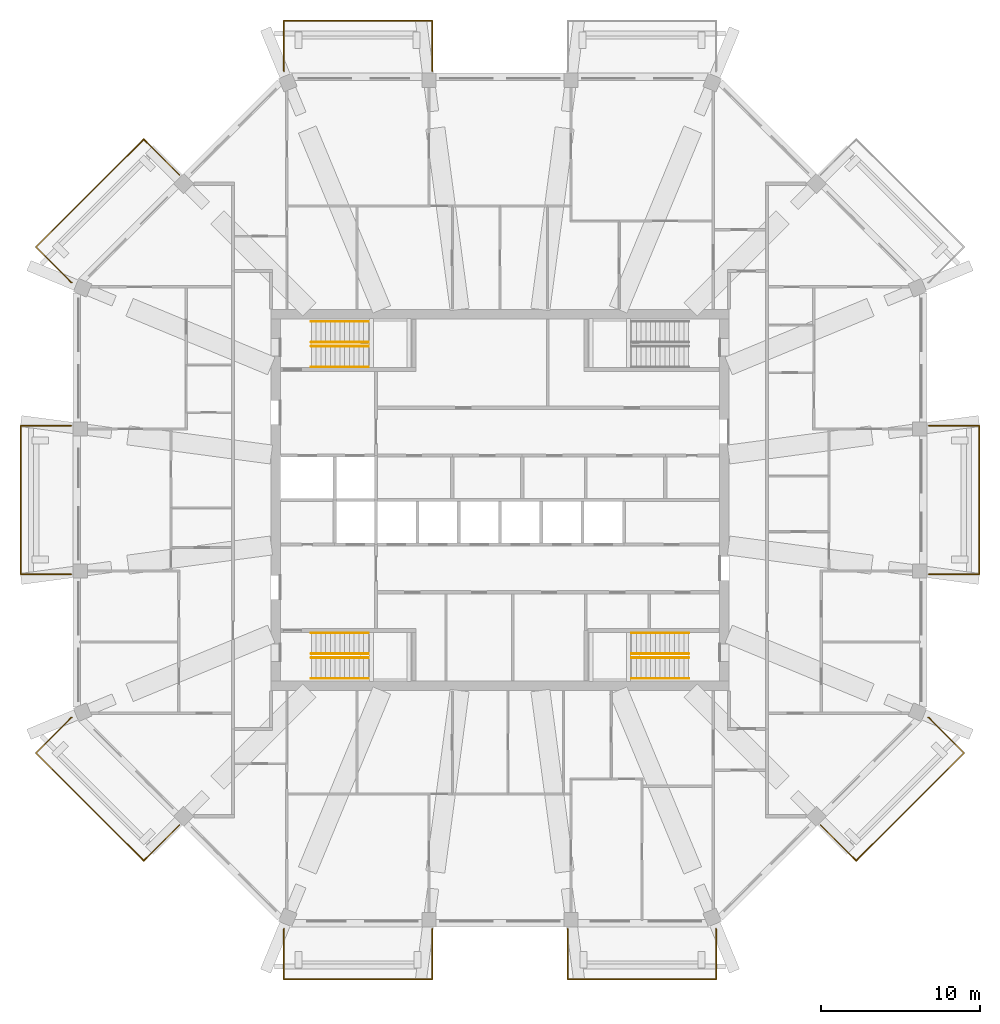
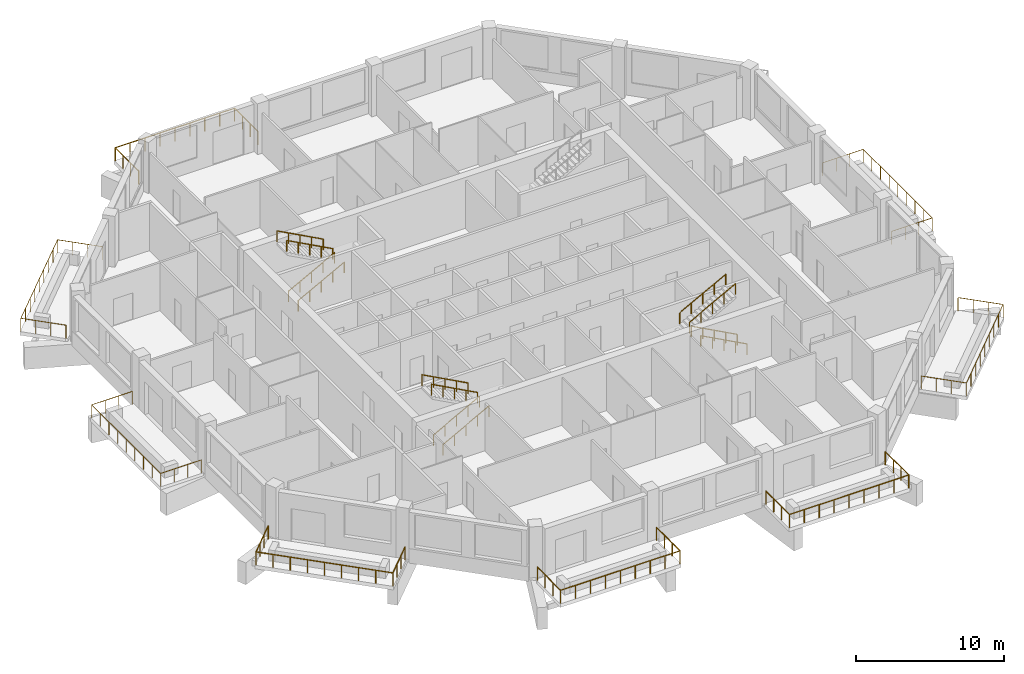
# One storey, part 11 of 12: 20 railings.
"""IFC4 building model written with IfcOpenShell, lengths in metres."""

from ifc_helpers import new_model, si_unit, direction, frame, origin, origin_2d, place, context, subcontext, project, spatial, circle, extrude, material, constituent, constituent_set, type_object, element, save


model = new_model("IFC4")

# Units and contexts
model_context = context("Model", 3, precision=1e-05, world=origin(), true_north=direction((0.0, 1.0)))
body_context = subcontext(model_context, "Body", "Model", "MODEL_VIEW")
ifc_project = project(units=[si_unit("LENGTHUNIT", "METRE"), si_unit("AREAUNIT", "SQUARE_METRE"), si_unit("VOLUMEUNIT", "CUBIC_METRE"), si_unit("PLANEANGLEUNIT", "RADIAN"), si_unit("MASSUNIT", "GRAM", prefix="KILO")], contexts=[model_context])

# Site, building, storey
site_placement = place(None, origin())
site = spatial("IfcSite", under=ifc_project, at=site_placement, CompositionType="ELEMENT")
building_placement = place(site_placement, origin())
building = spatial("IfcBuilding", under=site, at=building_placement, Name="Msitu Wima Residences", CompositionType="ELEMENT")
storey_placement = place(building_placement, frame((0.0, 0.0, 213.89990234375)))
storey = spatial("IfcBuildingStorey", under=building, at=storey_placement, Name="L49", CompositionType="ELEMENT", Elevation=213.89990234375)

# Railings
ifc_material_1 = material(Name="Steel S355", Category="steel")
ifc_constituent_1 = constituent(ifc_material_1, Name="Steel S355")
ifc_material_2 = material(Name="Weathering patina")
ifc_constituent_2 = constituent(ifc_material_2, Name="Weathering patina")
ifc_constituent_set_1 = constituent_set(constituents=[ifc_constituent_1, ifc_constituent_2], Name="Steel S355")
railing_type_1 = type_object("IfcRailingType", Name="Balcony guard GR1100", PredefinedType="GUARDRAIL", material=ifc_constituent_set_1)
railing_1_placement = place(storey_placement, frame((26.97998046875, 4.668701171875, 0.0)))
element("IfcRailing", 1, at=railing_1_placement, inside=storey, type_object=railing_type_1, Name="Balcony guard E1 L49", PredefinedType="GUARDRAIL", context=body_context, shape_type="SweptSolid", body=[
    extrude(circle(Radius=0.02392578125, at=origin_2d()), frame((0.0, 0.0, 1.076171875), z_axis=(1.0, 0.0, 0.0), x_axis=(0.0, 1.0, 0.0)), (0.0, 0.0, 1.0), 3.169921875),
    extrude(circle(Radius=0.02392578125, at=origin_2d()), frame((3.169921875, 0.0, 1.076171875), z_axis=(0.0, -1.0, 0.0), x_axis=(1.0, 0.0, 0.0)), (0.0, 0.0, 1.0), 9.33740234375),
    extrude(circle(Radius=0.02392578125, at=origin_2d()), frame((3.169921875, -9.33740234375, 1.076171875), z_axis=(-1.0, 0.0, 0.0), x_axis=(0.0, -1.0, 0.0)), (0.0, 0.0, 1.0), 3.169921875),
    extrude(circle(Radius=0.02099609375, at=origin_2d()), origin(), (0.0, 0.0, 1.0), 1.052001953125),
    extrude(circle(Radius=0.02099609375, at=origin_2d()), frame((1.056640625, 0.0, 0.0)), (0.0, 0.0, 1.0), 1.052001953125),
    extrude(circle(Radius=0.02099609375, at=origin_2d()), frame((2.11328125, 0.0, 0.0)), (0.0, 0.0, 1.0), 1.052001953125),
    extrude(circle(Radius=0.02099609375, at=origin_2d()), frame((3.169921875, 0.0, 0.0)), (0.0, 0.0, 1.0), 1.052001953125),
    extrude(circle(Radius=0.02099609375, at=origin_2d()), frame((3.169921875, -1.167236328125, 0.0)), (0.0, 0.0, 1.0), 1.052001953125),
    extrude(circle(Radius=0.02099609375, at=origin_2d()), frame((3.169921875, -2.33447265625, 0.0)), (0.0, 0.0, 1.0), 1.052001953125),
    extrude(circle(Radius=0.02099609375, at=origin_2d()), frame((3.169921875, -3.50146484375, 0.0)), (0.0, 0.0, 1.0), 1.052001953125),
    extrude(circle(Radius=0.02099609375, at=origin_2d()), frame((3.169921875, -4.668701171875, 0.0)), (0.0, 0.0, 1.0), 1.052001953125),
    extrude(circle(Radius=0.02099609375, at=origin_2d()), frame((3.169921875, -5.8359375, 0.0)), (0.0, 0.0, 1.0), 1.052001953125),
    extrude(circle(Radius=0.02099609375, at=origin_2d()), frame((3.169921875, -7.0029296875, 0.0)), (0.0, 0.0, 1.0), 1.052001953125),
    extrude(circle(Radius=0.02099609375, at=origin_2d()), frame((3.169921875, -8.170166015625, 0.0)), (0.0, 0.0, 1.0), 1.052001953125),
    extrude(circle(Radius=0.02099609375, at=origin_2d()), frame((3.169921875, -9.33740234375, 0.0)), (0.0, 0.0, 1.0), 1.052001953125),
    extrude(circle(Radius=0.02099609375, at=origin_2d()), frame((2.11328125, -9.33740234375, 0.0)), (0.0, 0.0, 1.0), 1.052001953125),
    extrude(circle(Radius=0.02099609375, at=origin_2d()), frame((1.056640625, -9.33740234375, 0.0)), (0.0, 0.0, 1.0), 1.052001953125),
    extrude(circle(Radius=0.02099609375, at=origin_2d()), frame((0.0, -9.33740234375, 0.0)), (0.0, 0.0, 1.0), 1.052001953125),
])
railing_2_placement = place(storey_placement, frame((-13.592041015625, 26.97998046875, 0.0)))
element("IfcRailing", 2, at=railing_2_placement, inside=storey, type_object=railing_type_1, Name="Balcony guard N2 L49", PredefinedType="GUARDRAIL", context=body_context, shape_type="SweptSolid", body=[
    extrude(circle(Radius=0.02392578125, at=origin_2d()), frame((0.0, 0.0, 1.076171875), z_axis=(-0.384136806859, 0.923276184907, 0.0), x_axis=(-0.923276184907, -0.384136806859, 0.0)), (0.0, 0.0, 1.0), 0.0361328125),
    extrude(circle(Radius=0.02392578125, at=origin_2d()), frame((-0.013916015625, 0.033447265625, 1.076171875), z_axis=(0.0, 1.0, 0.0), x_axis=(-1.0, 0.0, 0.0)), (0.0, 0.0, 1.0), 3.136474609375),
    extrude(circle(Radius=0.02392578125, at=origin_2d()), frame((-0.013916015625, 3.169921875, 1.076171875), z_axis=(1.0, 0.0, 0.0), x_axis=(0.0, 1.0, 0.0)), (0.0, 0.0, 1.0), 9.33740234375),
    extrude(circle(Radius=0.02392578125, at=origin_2d()), frame((9.323486328125, 3.169921875, 1.076171875), z_axis=(0.0, -1.0, 0.0), x_axis=(1.0, 0.0, 0.0)), (0.0, 0.0, 1.0), 3.169921875),
    extrude(circle(Radius=0.02099609375, at=origin_2d()), origin(), (0.0, 0.0, 1.0), 1.052001953125),
    extrude(circle(Radius=0.02099609375, at=origin_2d()), frame((-0.013916015625, 0.033447265625, 0.0)), (0.0, 0.0, 1.0), 1.052001953125),
    extrude(circle(Radius=0.02099609375, at=origin_2d()), frame((-0.013916015625, 1.078857421875, 0.0)), (0.0, 0.0, 1.0), 1.052001953125),
    extrude(circle(Radius=0.02099609375, at=origin_2d()), frame((-0.013916015625, 2.12451171875, 0.0)), (0.0, 0.0, 1.0), 1.052001953125),
    extrude(circle(Radius=0.02099609375, at=origin_2d()), frame((-0.013916015625, 3.169921875, 0.0)), (0.0, 0.0, 1.0), 1.052001953125),
    extrude(circle(Radius=0.02099609375, at=origin_2d()), frame((1.1533203125, 3.169921875, 0.0)), (0.0, 0.0, 1.0), 1.052001953125),
    extrude(circle(Radius=0.02099609375, at=origin_2d()), frame((2.3203125, 3.169921875, 0.0)), (0.0, 0.0, 1.0), 1.052001953125),
    extrude(circle(Radius=0.02099609375, at=origin_2d()), frame((3.487548828125, 3.169921875, 0.0)), (0.0, 0.0, 1.0), 1.052001953125),
    extrude(circle(Radius=0.02099609375, at=origin_2d()), frame((4.65478515625, 3.169921875, 0.0)), (0.0, 0.0, 1.0), 1.052001953125),
    extrude(circle(Radius=0.02099609375, at=origin_2d()), frame((5.822021484375, 3.169921875, 0.0)), (0.0, 0.0, 1.0), 1.052001953125),
    extrude(circle(Radius=0.02099609375, at=origin_2d()), frame((6.9892578125, 3.169921875, 0.0)), (0.0, 0.0, 1.0), 1.052001953125),
    extrude(circle(Radius=0.02099609375, at=origin_2d()), frame((8.15625, 3.169921875, 0.0)), (0.0, 0.0, 1.0), 1.052001953125),
    extrude(circle(Radius=0.02099609375, at=origin_2d()), frame((9.323486328125, 3.169921875, 0.0)), (0.0, 0.0, 1.0), 1.052001953125),
    extrude(circle(Radius=0.02099609375, at=origin_2d()), frame((9.323486328125, 2.11328125, 0.0)), (0.0, 0.0, 1.0), 1.052001953125),
    extrude(circle(Radius=0.02099609375, at=origin_2d()), frame((9.323486328125, 1.056640625, 0.0)), (0.0, 0.0, 1.0), 1.052001953125),
    extrude(circle(Radius=0.02099609375, at=origin_2d()), frame((9.323486328125, 0.0, 0.0)), (0.0, 0.0, 1.0), 1.052001953125),
])
railing_3_placement = place(storey_placement, frame((-26.941650390625, 13.684326171875, 0.0)))
element("IfcRailing", 3, at=railing_3_placement, inside=storey, type_object=railing_type_1, Name="Balcony guard NW1 L49", PredefinedType="GUARDRAIL", context=body_context, shape_type="SweptSolid", body=[
    extrude(circle(Radius=0.02392578125, at=origin_2d()), frame((0.0, 0.0, 1.076171875), z_axis=(-0.92426142649, 0.38176015442, 0.0), x_axis=(-0.38176015442, -0.92426142649, 0.0)), (0.0, 0.0, 1.0), 0.036376953125),
    extrude(circle(Radius=0.02392578125, at=origin_2d()), frame((-0.03369140625, 0.013916015625, 1.076171875), z_axis=(-0.707106781187, 0.707106781187, 0.0), x_axis=(-0.707106781187, -0.707106781187, 0.0)), (0.0, 0.0, 1.0), 3.136474609375),
    extrude(circle(Radius=0.02392578125, at=origin_2d()), frame((-2.25146484375, 2.231689453125, 1.076171875), z_axis=(0.707106781187, 0.707106781187, 0.0), x_axis=(-0.707106781187, 0.707106781187, 0.0)), (0.0, 0.0, 1.0), 9.58837890625),
    extrude(circle(Radius=0.02392578125, at=origin_2d()), frame((4.528564453125, 9.01171875, 1.076171875), z_axis=(0.707106781187, -0.707106781187, 0.0), x_axis=(0.707106781187, 0.707106781187, 0.0)), (0.0, 0.0, 1.0), 3.169921875),
    extrude(circle(Radius=0.02099609375, at=origin_2d()), origin(), (0.0, 0.0, 1.0), 1.052001953125),
    extrude(circle(Radius=0.02099609375, at=origin_2d()), frame((-0.03369140625, 0.013916015625, 0.0)), (0.0, 0.0, 1.0), 1.052001953125),
    extrude(circle(Radius=0.02099609375, at=origin_2d()), frame((-0.77294921875, 0.753173828125, 0.0)), (0.0, 0.0, 1.0), 1.052001953125),
    extrude(circle(Radius=0.02099609375, at=origin_2d()), frame((-1.51220703125, 1.492431640625, 0.0)), (0.0, 0.0, 1.0), 1.052001953125),
    extrude(circle(Radius=0.02099609375, at=origin_2d()), frame((-2.25146484375, 2.231689453125, 0.0)), (0.0, 0.0, 1.0), 1.052001953125),
    extrude(circle(Radius=0.02099609375, at=origin_2d()), frame((-1.404052734375, 3.0791015625, 0.0)), (0.0, 0.0, 1.0), 1.052001953125),
    extrude(circle(Radius=0.02099609375, at=origin_2d()), frame((-0.556396484375, 3.9267578125, 0.0)), (0.0, 0.0, 1.0), 1.052001953125),
    extrude(circle(Radius=0.02099609375, at=origin_2d()), frame((0.291015625, 4.774169921875, 0.0)), (0.0, 0.0, 1.0), 1.052001953125),
    extrude(circle(Radius=0.02099609375, at=origin_2d()), frame((1.138671875, 5.62158203125, 0.0)), (0.0, 0.0, 1.0), 1.052001953125),
    extrude(circle(Radius=0.02099609375, at=origin_2d()), frame((1.986083984375, 6.46923828125, 0.0)), (0.0, 0.0, 1.0), 1.052001953125),
    extrude(circle(Radius=0.02099609375, at=origin_2d()), frame((2.83349609375, 7.316650390625, 0.0)), (0.0, 0.0, 1.0), 1.052001953125),
    extrude(circle(Radius=0.02099609375, at=origin_2d()), frame((3.68115234375, 8.164306640625, 0.0)), (0.0, 0.0, 1.0), 1.052001953125),
    extrude(circle(Radius=0.02099609375, at=origin_2d()), frame((4.528564453125, 9.01171875, 0.0)), (0.0, 0.0, 1.0), 1.052001953125),
    extrude(circle(Radius=0.02099609375, at=origin_2d()), frame((5.275634765625, 8.2646484375, 0.0)), (0.0, 0.0, 1.0), 1.052001953125),
    extrude(circle(Radius=0.02099609375, at=origin_2d()), frame((6.02294921875, 7.517333984375, 0.0)), (0.0, 0.0, 1.0), 1.052001953125),
    extrude(circle(Radius=0.02099609375, at=origin_2d()), frame((6.77001953125, 6.770263671875, 0.0)), (0.0, 0.0, 1.0), 1.052001953125),
])
railing_4_placement = place(storey_placement, frame((-26.97998046875, -4.668701171875, 0.0)))
element("IfcRailing", 4, at=railing_4_placement, inside=storey, type_object=railing_type_1, Name="Balcony guard W1 L49", PredefinedType="GUARDRAIL", context=body_context, shape_type="SweptSolid", body=[
    extrude(circle(Radius=0.02392578125, at=origin_2d()), frame((0.0, 0.0, 1.076171875), z_axis=(-1.0, 0.0, 0.0), x_axis=(0.0, -1.0, 0.0)), (0.0, 0.0, 1.0), 3.169921875),
    extrude(circle(Radius=0.02392578125, at=origin_2d()), frame((-3.169921875, 0.0, 1.076171875), z_axis=(0.0, 1.0, 0.0), x_axis=(-1.0, 0.0, 0.0)), (0.0, 0.0, 1.0), 9.33740234375),
    extrude(circle(Radius=0.02392578125, at=origin_2d()), frame((-3.169921875, 9.33740234375, 1.076171875), z_axis=(1.0, 0.0, 0.0), x_axis=(0.0, 1.0, 0.0)), (0.0, 0.0, 1.0), 3.169921875),
    extrude(circle(Radius=0.02099609375, at=origin_2d()), origin(), (0.0, 0.0, 1.0), 1.052001953125),
    extrude(circle(Radius=0.02099609375, at=origin_2d()), frame((-1.056640625, 0.0, 0.0)), (0.0, 0.0, 1.0), 1.052001953125),
    extrude(circle(Radius=0.02099609375, at=origin_2d()), frame((-2.11328125, 0.0, 0.0)), (0.0, 0.0, 1.0), 1.052001953125),
    extrude(circle(Radius=0.02099609375, at=origin_2d()), frame((-3.169921875, 0.0, 0.0)), (0.0, 0.0, 1.0), 1.052001953125),
    extrude(circle(Radius=0.02099609375, at=origin_2d()), frame((-3.169921875, 1.167236328125, 0.0)), (0.0, 0.0, 1.0), 1.052001953125),
    extrude(circle(Radius=0.02099609375, at=origin_2d()), frame((-3.169921875, 2.33447265625, 0.0)), (0.0, 0.0, 1.0), 1.052001953125),
    extrude(circle(Radius=0.02099609375, at=origin_2d()), frame((-3.169921875, 3.50146484375, 0.0)), (0.0, 0.0, 1.0), 1.052001953125),
    extrude(circle(Radius=0.02099609375, at=origin_2d()), frame((-3.169921875, 4.668701171875, 0.0)), (0.0, 0.0, 1.0), 1.052001953125),
    extrude(circle(Radius=0.02099609375, at=origin_2d()), frame((-3.169921875, 5.8359375, 0.0)), (0.0, 0.0, 1.0), 1.052001953125),
    extrude(circle(Radius=0.02099609375, at=origin_2d()), frame((-3.169921875, 7.0029296875, 0.0)), (0.0, 0.0, 1.0), 1.052001953125),
    extrude(circle(Radius=0.02099609375, at=origin_2d()), frame((-3.169921875, 8.170166015625, 0.0)), (0.0, 0.0, 1.0), 1.052001953125),
    extrude(circle(Radius=0.02099609375, at=origin_2d()), frame((-3.169921875, 9.33740234375, 0.0)), (0.0, 0.0, 1.0), 1.052001953125),
    extrude(circle(Radius=0.02099609375, at=origin_2d()), frame((-2.11328125, 9.33740234375, 0.0)), (0.0, 0.0, 1.0), 1.052001953125),
    extrude(circle(Radius=0.02099609375, at=origin_2d()), frame((-1.056640625, 9.33740234375, 0.0)), (0.0, 0.0, 1.0), 1.052001953125),
    extrude(circle(Radius=0.02099609375, at=origin_2d()), frame((0.0, 9.33740234375, 0.0)), (0.0, 0.0, 1.0), 1.052001953125),
])
railing_5_placement = place(storey_placement, frame((-20.171630859375, -20.45458984375, 0.0)))
element("IfcRailing", 5, at=railing_5_placement, inside=storey, type_object=railing_type_1, Name="Balcony guard SW0 L49", PredefinedType="GUARDRAIL", context=body_context, shape_type="SweptSolid", body=[
    extrude(circle(Radius=0.02392578125, at=origin_2d()), frame((0.0, 0.0, 1.076171875), z_axis=(-0.707106781187, -0.707106781187, 0.0), x_axis=(0.707106781187, -0.707106781187, 0.0)), (0.0, 0.0, 1.0), 3.169921875),
    extrude(circle(Radius=0.02392578125, at=origin_2d()), frame((-2.241455078125, -2.241455078125, 1.076171875), z_axis=(-0.707106781187, 0.707106781187, 0.0), x_axis=(-0.707106781187, -0.707106781187, 0.0)), (0.0, 0.0, 1.0), 9.58837890625),
    extrude(circle(Radius=0.02392578125, at=origin_2d()), frame((-9.021484375, 4.53857421875, 1.076171875), z_axis=(0.707106781187, 0.707106781187, 0.0), x_axis=(-0.707106781187, 0.707106781187, 0.0)), (0.0, 0.0, 1.0), 3.136474609375),
    extrude(circle(Radius=0.02392578125, at=origin_2d()), frame((-6.8037109375, 6.75634765625, 1.076171875), z_axis=(0.92426142649, 0.38176015442, 0.0), x_axis=(-0.38176015442, 0.92426142649, 0.0)), (0.0, 0.0, 1.0), 0.036376953125),
    extrude(circle(Radius=0.02099609375, at=origin_2d()), origin(), (0.0, 0.0, 1.0), 1.052001953125),
    extrude(circle(Radius=0.02099609375, at=origin_2d()), frame((-0.7470703125, -0.7470703125, 0.0)), (0.0, 0.0, 1.0), 1.052001953125),
    extrude(circle(Radius=0.02099609375, at=origin_2d()), frame((-1.494384765625, -1.494384765625, 0.0)), (0.0, 0.0, 1.0), 1.052001953125),
    extrude(circle(Radius=0.02099609375, at=origin_2d()), frame((-2.241455078125, -2.241455078125, 0.0)), (0.0, 0.0, 1.0), 1.052001953125),
    extrude(circle(Radius=0.02099609375, at=origin_2d()), frame((-3.0888671875, -1.39404296875, 0.0)), (0.0, 0.0, 1.0), 1.052001953125),
    extrude(circle(Radius=0.02099609375, at=origin_2d()), frame((-3.9365234375, -0.54638671875, 0.0)), (0.0, 0.0, 1.0), 1.052001953125),
    extrude(circle(Radius=0.02099609375, at=origin_2d()), frame((-4.783935546875, 0.301025390625, 0.0)), (0.0, 0.0, 1.0), 1.052001953125),
    extrude(circle(Radius=0.02099609375, at=origin_2d()), frame((-5.63134765625, 1.1484375, 0.0)), (0.0, 0.0, 1.0), 1.052001953125),
    extrude(circle(Radius=0.02099609375, at=origin_2d()), frame((-6.47900390625, 1.99609375, 0.0)), (0.0, 0.0, 1.0), 1.052001953125),
    extrude(circle(Radius=0.02099609375, at=origin_2d()), frame((-7.326416015625, 2.843505859375, 0.0)), (0.0, 0.0, 1.0), 1.052001953125),
    extrude(circle(Radius=0.02099609375, at=origin_2d()), frame((-8.174072265625, 3.691162109375, 0.0)), (0.0, 0.0, 1.0), 1.052001953125),
    extrude(circle(Radius=0.02099609375, at=origin_2d()), frame((-9.021484375, 4.53857421875, 0.0)), (0.0, 0.0, 1.0), 1.052001953125),
    extrude(circle(Radius=0.02099609375, at=origin_2d()), frame((-8.2822265625, 5.27783203125, 0.0)), (0.0, 0.0, 1.0), 1.052001953125),
    extrude(circle(Radius=0.02099609375, at=origin_2d()), frame((-7.54296875, 6.01708984375, 0.0)), (0.0, 0.0, 1.0), 1.052001953125),
    extrude(circle(Radius=0.02099609375, at=origin_2d()), frame((-6.8037109375, 6.75634765625, 0.0)), (0.0, 0.0, 1.0), 1.052001953125),
    extrude(circle(Radius=0.02099609375, at=origin_2d()), frame((-6.77001953125, 6.770263671875, 0.0)), (0.0, 0.0, 1.0), 1.052001953125),
])
railing_6_placement = place(storey_placement, frame((-4.2685546875, -26.97998046875, 0.0)))
element("IfcRailing", 6, at=railing_6_placement, inside=storey, type_object=railing_type_1, Name="Balcony guard S0 L49", PredefinedType="GUARDRAIL", context=body_context, shape_type="SweptSolid", body=[
    extrude(circle(Radius=0.02392578125, at=origin_2d()), frame((0.0, 0.0, 1.076171875), z_axis=(0.0, -1.0, 0.0), x_axis=(1.0, 0.0, 0.0)), (0.0, 0.0, 1.0), 3.169921875),
    extrude(circle(Radius=0.02392578125, at=origin_2d()), frame((0.0, -3.169921875, 1.076171875), z_axis=(-1.0, 0.0, 0.0), x_axis=(0.0, -1.0, 0.0)), (0.0, 0.0, 1.0), 9.33740234375),
    extrude(circle(Radius=0.02392578125, at=origin_2d()), frame((-9.33740234375, -3.169921875, 1.076171875), z_axis=(0.0, 1.0, 0.0), x_axis=(-1.0, 0.0, 0.0)), (0.0, 0.0, 1.0), 3.136474609375),
    extrude(circle(Radius=0.02392578125, at=origin_2d()), frame((-9.33740234375, -0.033447265625, 1.076171875), z_axis=(0.384136806859, 0.923276184907, 0.0), x_axis=(-0.923276184907, 0.384136806859, 0.0)), (0.0, 0.0, 1.0), 0.0361328125),
    extrude(circle(Radius=0.02099609375, at=origin_2d()), origin(), (0.0, 0.0, 1.0), 1.052001953125),
    extrude(circle(Radius=0.02099609375, at=origin_2d()), frame((0.0, -1.056640625, 0.0)), (0.0, 0.0, 1.0), 1.052001953125),
    extrude(circle(Radius=0.02099609375, at=origin_2d()), frame((0.0, -2.11328125, 0.0)), (0.0, 0.0, 1.0), 1.052001953125),
    extrude(circle(Radius=0.02099609375, at=origin_2d()), frame((0.0, -3.169921875, 0.0)), (0.0, 0.0, 1.0), 1.052001953125),
    extrude(circle(Radius=0.02099609375, at=origin_2d()), frame((-1.167236328125, -3.169921875, 0.0)), (0.0, 0.0, 1.0), 1.052001953125),
    extrude(circle(Radius=0.02099609375, at=origin_2d()), frame((-2.33447265625, -3.169921875, 0.0)), (0.0, 0.0, 1.0), 1.052001953125),
    extrude(circle(Radius=0.02099609375, at=origin_2d()), frame((-3.50146484375, -3.169921875, 0.0)), (0.0, 0.0, 1.0), 1.052001953125),
    extrude(circle(Radius=0.02099609375, at=origin_2d()), frame((-4.668701171875, -3.169921875, 0.0)), (0.0, 0.0, 1.0), 1.052001953125),
    extrude(circle(Radius=0.02099609375, at=origin_2d()), frame((-5.8359375, -3.169921875, 0.0)), (0.0, 0.0, 1.0), 1.052001953125),
    extrude(circle(Radius=0.02099609375, at=origin_2d()), frame((-7.0029296875, -3.169921875, 0.0)), (0.0, 0.0, 1.0), 1.052001953125),
    extrude(circle(Radius=0.02099609375, at=origin_2d()), frame((-8.170166015625, -3.169921875, 0.0)), (0.0, 0.0, 1.0), 1.052001953125),
    extrude(circle(Radius=0.02099609375, at=origin_2d()), frame((-9.33740234375, -3.169921875, 0.0)), (0.0, 0.0, 1.0), 1.052001953125),
    extrude(circle(Radius=0.02099609375, at=origin_2d()), frame((-9.33740234375, -2.12451171875, 0.0)), (0.0, 0.0, 1.0), 1.052001953125),
    extrude(circle(Radius=0.02099609375, at=origin_2d()), frame((-9.33740234375, -1.078857421875, 0.0)), (0.0, 0.0, 1.0), 1.052001953125),
    extrude(circle(Radius=0.02099609375, at=origin_2d()), frame((-9.33740234375, -0.033447265625, 0.0)), (0.0, 0.0, 1.0), 1.052001953125),
    extrude(circle(Radius=0.02099609375, at=origin_2d()), frame((-9.323486328125, 0.0, 0.0)), (0.0, 0.0, 1.0), 1.052001953125),
])
railing_7_placement = place(storey_placement, frame((13.592041015625, -26.97998046875, 0.0)))
element("IfcRailing", 7, at=railing_7_placement, inside=storey, type_object=railing_type_1, Name="Balcony guard S2 L49", PredefinedType="GUARDRAIL", context=body_context, shape_type="SweptSolid", body=[
    extrude(circle(Radius=0.02392578125, at=origin_2d()), frame((0.0, 0.0, 1.076171875), z_axis=(0.384136806859, -0.923276184907, 0.0), x_axis=(0.923276184907, 0.384136806859, 0.0)), (0.0, 0.0, 1.0), 0.0361328125),
    extrude(circle(Radius=0.02392578125, at=origin_2d()), frame((0.013916015625, -0.033447265625, 1.076171875), z_axis=(0.0, -1.0, 0.0), x_axis=(1.0, 0.0, 0.0)), (0.0, 0.0, 1.0), 3.136474609375),
    extrude(circle(Radius=0.02392578125, at=origin_2d()), frame((0.013916015625, -3.169921875, 1.076171875), z_axis=(-1.0, 0.0, 0.0), x_axis=(0.0, -1.0, 0.0)), (0.0, 0.0, 1.0), 9.33740234375),
    extrude(circle(Radius=0.02392578125, at=origin_2d()), frame((-9.323486328125, -3.169921875, 1.076171875), z_axis=(0.0, 1.0, 0.0), x_axis=(-1.0, 0.0, 0.0)), (0.0, 0.0, 1.0), 3.169921875),
    extrude(circle(Radius=0.02099609375, at=origin_2d()), origin(), (0.0, 0.0, 1.0), 1.052001953125),
    extrude(circle(Radius=0.02099609375, at=origin_2d()), frame((0.013916015625, -0.033447265625, 0.0)), (0.0, 0.0, 1.0), 1.052001953125),
    extrude(circle(Radius=0.02099609375, at=origin_2d()), frame((0.013916015625, -1.078857421875, 0.0)), (0.0, 0.0, 1.0), 1.052001953125),
    extrude(circle(Radius=0.02099609375, at=origin_2d()), frame((0.013916015625, -2.12451171875, 0.0)), (0.0, 0.0, 1.0), 1.052001953125),
    extrude(circle(Radius=0.02099609375, at=origin_2d()), frame((0.013916015625, -3.169921875, 0.0)), (0.0, 0.0, 1.0), 1.052001953125),
    extrude(circle(Radius=0.02099609375, at=origin_2d()), frame((-1.1533203125, -3.169921875, 0.0)), (0.0, 0.0, 1.0), 1.052001953125),
    extrude(circle(Radius=0.02099609375, at=origin_2d()), frame((-2.3203125, -3.169921875, 0.0)), (0.0, 0.0, 1.0), 1.052001953125),
    extrude(circle(Radius=0.02099609375, at=origin_2d()), frame((-3.487548828125, -3.169921875, 0.0)), (0.0, 0.0, 1.0), 1.052001953125),
    extrude(circle(Radius=0.02099609375, at=origin_2d()), frame((-4.65478515625, -3.169921875, 0.0)), (0.0, 0.0, 1.0), 1.052001953125),
    extrude(circle(Radius=0.02099609375, at=origin_2d()), frame((-5.822021484375, -3.169921875, 0.0)), (0.0, 0.0, 1.0), 1.052001953125),
    extrude(circle(Radius=0.02099609375, at=origin_2d()), frame((-6.9892578125, -3.169921875, 0.0)), (0.0, 0.0, 1.0), 1.052001953125),
    extrude(circle(Radius=0.02099609375, at=origin_2d()), frame((-8.15625, -3.169921875, 0.0)), (0.0, 0.0, 1.0), 1.052001953125),
    extrude(circle(Radius=0.02099609375, at=origin_2d()), frame((-9.323486328125, -3.169921875, 0.0)), (0.0, 0.0, 1.0), 1.052001953125),
    extrude(circle(Radius=0.02099609375, at=origin_2d()), frame((-9.323486328125, -2.11328125, 0.0)), (0.0, 0.0, 1.0), 1.052001953125),
    extrude(circle(Radius=0.02099609375, at=origin_2d()), frame((-9.323486328125, -1.056640625, 0.0)), (0.0, 0.0, 1.0), 1.052001953125),
    extrude(circle(Radius=0.02099609375, at=origin_2d()), frame((-9.323486328125, 0.0, 0.0)), (0.0, 0.0, 1.0), 1.052001953125),
])
railing_8_placement = place(storey_placement, frame((26.941650390625, -13.684326171875, 0.0)))
element("IfcRailing", 8, at=railing_8_placement, inside=storey, type_object=railing_type_1, Name="Balcony guard SE1 L49", PredefinedType="GUARDRAIL", context=body_context, shape_type="SweptSolid", body=[
    extrude(circle(Radius=0.02392578125, at=origin_2d()), frame((0.0, 0.0, 1.076171875), z_axis=(0.92426142649, -0.38176015442, 0.0), x_axis=(0.38176015442, 0.92426142649, 0.0)), (0.0, 0.0, 1.0), 0.036376953125),
    extrude(circle(Radius=0.02392578125, at=origin_2d()), frame((0.03369140625, -0.013916015625, 1.076171875), z_axis=(0.707106781187, -0.707106781187, 0.0), x_axis=(0.707106781187, 0.707106781187, 0.0)), (0.0, 0.0, 1.0), 3.136474609375),
    extrude(circle(Radius=0.02392578125, at=origin_2d()), frame((2.25146484375, -2.231689453125, 1.076171875), z_axis=(-0.707106781187, -0.707106781187, 0.0), x_axis=(0.707106781187, -0.707106781187, 0.0)), (0.0, 0.0, 1.0), 9.58837890625),
    extrude(circle(Radius=0.02392578125, at=origin_2d()), frame((-4.528564453125, -9.01171875, 1.076171875), z_axis=(-0.707106781187, 0.707106781187, 0.0), x_axis=(-0.707106781187, -0.707106781187, 0.0)), (0.0, 0.0, 1.0), 3.169921875),
    extrude(circle(Radius=0.02099609375, at=origin_2d()), origin(), (0.0, 0.0, 1.0), 1.052001953125),
    extrude(circle(Radius=0.02099609375, at=origin_2d()), frame((0.03369140625, -0.013916015625, 0.0)), (0.0, 0.0, 1.0), 1.052001953125),
    extrude(circle(Radius=0.02099609375, at=origin_2d()), frame((0.77294921875, -0.753173828125, 0.0)), (0.0, 0.0, 1.0), 1.052001953125),
    extrude(circle(Radius=0.02099609375, at=origin_2d()), frame((1.51220703125, -1.492431640625, 0.0)), (0.0, 0.0, 1.0), 1.052001953125),
    extrude(circle(Radius=0.02099609375, at=origin_2d()), frame((2.25146484375, -2.231689453125, 0.0)), (0.0, 0.0, 1.0), 1.052001953125),
    extrude(circle(Radius=0.02099609375, at=origin_2d()), frame((1.404052734375, -3.0791015625, 0.0)), (0.0, 0.0, 1.0), 1.052001953125),
    extrude(circle(Radius=0.02099609375, at=origin_2d()), frame((0.556396484375, -3.9267578125, 0.0)), (0.0, 0.0, 1.0), 1.052001953125),
    extrude(circle(Radius=0.02099609375, at=origin_2d()), frame((-0.291015625, -4.774169921875, 0.0)), (0.0, 0.0, 1.0), 1.052001953125),
    extrude(circle(Radius=0.02099609375, at=origin_2d()), frame((-1.138671875, -5.62158203125, 0.0)), (0.0, 0.0, 1.0), 1.052001953125),
    extrude(circle(Radius=0.02099609375, at=origin_2d()), frame((-1.986083984375, -6.46923828125, 0.0)), (0.0, 0.0, 1.0), 1.052001953125),
    extrude(circle(Radius=0.02099609375, at=origin_2d()), frame((-2.83349609375, -7.316650390625, 0.0)), (0.0, 0.0, 1.0), 1.052001953125),
    extrude(circle(Radius=0.02099609375, at=origin_2d()), frame((-3.68115234375, -8.164306640625, 0.0)), (0.0, 0.0, 1.0), 1.052001953125),
    extrude(circle(Radius=0.02099609375, at=origin_2d()), frame((-4.528564453125, -9.01171875, 0.0)), (0.0, 0.0, 1.0), 1.052001953125),
    extrude(circle(Radius=0.02099609375, at=origin_2d()), frame((-5.275634765625, -8.2646484375, 0.0)), (0.0, 0.0, 1.0), 1.052001953125),
    extrude(circle(Radius=0.02099609375, at=origin_2d()), frame((-6.02294921875, -7.517333984375, 0.0)), (0.0, 0.0, 1.0), 1.052001953125),
    extrude(circle(Radius=0.02099609375, at=origin_2d()), frame((-6.77001953125, -6.770263671875, 0.0)), (0.0, 0.0, 1.0), 1.052001953125),
])
ifc_constituent_3 = constituent(ifc_material_1, Name="Steel S355")
ifc_material_3 = material(Name="Black powder coating")
ifc_constituent_4 = constituent(ifc_material_3, Name="Black powder coating")
ifc_constituent_set_2 = constituent_set(constituents=[ifc_constituent_3, ifc_constituent_4], Name="Steel S355")
railing_type_2 = type_object("IfcRailingType", Name="Stair handrail HR1", PredefinedType="HANDRAIL", material=ifc_constituent_set_2)
for number, where, name in (
    (9, (-11.875, 8.375, 0.16162109375), "Stair 1 handrail"),
    (10, (-11.875, 9.675048828125, 0.16162109375), "Stair 1 handrail"),
):
    element("IfcRailing", number, at=place(storey_placement, frame(where)), inside=storey, type_object=railing_type_2, Name=name, PredefinedType="HANDRAIL", context=body_context, shape_type="SweptSolid", body=[
        extrude(circle(Radius=0.02392578125, at=origin_2d()), frame((0.0, 0.0, 0.8759765625), z_axis=(0.880474934443, 0.0, 0.474092701714), x_axis=(0.0, 1.0, 0.0)), (0.0, 0.0, 1.0), 4.0888671875),
        extrude(circle(Radius=0.02099609375, at=origin_2d()), origin(), (0.0, 0.0, 1.0), 0.851806640625),
        extrude(circle(Radius=0.02099609375, at=origin_2d()), frame((0.89990234375, 0.0, 0.484619140625)), (0.0, 0.0, 1.0), 0.851806640625),
        extrude(circle(Radius=0.02099609375, at=origin_2d()), frame((1.800048828125, 0.0, 0.96923828125)), (0.0, 0.0, 1.0), 0.851806640625),
        extrude(circle(Radius=0.02099609375, at=origin_2d()), frame((2.7001953125, 0.0, 1.453857421875)), (0.0, 0.0, 1.0), 0.851806640625),
        extrude(circle(Radius=0.02099609375, at=origin_2d()), frame((3.60009765625, 0.0, 1.9384765625)), (0.0, 0.0, 1.0), 0.851806640625),
    ])
for number, where, name in (
    (11, (-8.27490234375, 9.925048828125, 2.26171875), "Stair 1 handrail"),
    (12, (-8.27490234375, 11.22509765625, 2.26171875), "Stair 1 handrail"),
):
    element("IfcRailing", number, at=place(storey_placement, frame(where)), inside=storey, type_object=railing_type_2, Name=name, PredefinedType="HANDRAIL", context=body_context, shape_type="SweptSolid", body=[
        extrude(circle(Radius=0.02392578125, at=origin_2d()), frame((0.0, 0.0, 0.8759765625), z_axis=(-0.880474934443, 0.0, 0.474092701714), x_axis=(0.0, -1.0, 0.0)), (0.0, 0.0, 1.0), 4.0888671875),
        extrude(circle(Radius=0.02099609375, at=origin_2d()), origin(), (0.0, 0.0, 1.0), 0.851806640625),
        extrude(circle(Radius=0.02099609375, at=origin_2d()), frame((-0.89990234375, 0.0, 0.484619140625)), (0.0, 0.0, 1.0), 0.851806640625),
        extrude(circle(Radius=0.02099609375, at=origin_2d()), frame((-1.800048828125, 0.0, 0.96923828125)), (0.0, 0.0, 1.0), 0.851806640625),
        extrude(circle(Radius=0.02099609375, at=origin_2d()), frame((-2.7001953125, 0.0, 1.453857421875)), (0.0, 0.0, 1.0), 0.851806640625),
        extrude(circle(Radius=0.02099609375, at=origin_2d()), frame((-3.60009765625, 0.0, 1.9384765625)), (0.0, 0.0, 1.0), 0.851806640625),
    ])
for number, where, name in (
    (13, (-11.875, -11.22509765625, 0.16162109375), "Stair 2 handrail"),
    (14, (-11.875, -9.925048828125, 0.16162109375), "Stair 2 handrail"),
):
    element("IfcRailing", number, at=place(storey_placement, frame(where)), inside=storey, type_object=railing_type_2, Name=name, PredefinedType="HANDRAIL", context=body_context, shape_type="SweptSolid", body=[
        extrude(circle(Radius=0.02392578125, at=origin_2d()), frame((0.0, 0.0, 0.8759765625), z_axis=(0.880474934443, 0.0, 0.474092701714), x_axis=(0.0, 1.0, 0.0)), (0.0, 0.0, 1.0), 4.0888671875),
        extrude(circle(Radius=0.02099609375, at=origin_2d()), origin(), (0.0, 0.0, 1.0), 0.851806640625),
        extrude(circle(Radius=0.02099609375, at=origin_2d()), frame((0.89990234375, 0.0, 0.484619140625)), (0.0, 0.0, 1.0), 0.851806640625),
        extrude(circle(Radius=0.02099609375, at=origin_2d()), frame((1.800048828125, 0.0, 0.96923828125)), (0.0, 0.0, 1.0), 0.851806640625),
        extrude(circle(Radius=0.02099609375, at=origin_2d()), frame((2.7001953125, 0.0, 1.453857421875)), (0.0, 0.0, 1.0), 0.851806640625),
        extrude(circle(Radius=0.02099609375, at=origin_2d()), frame((3.60009765625, 0.0, 1.9384765625)), (0.0, 0.0, 1.0), 0.851806640625),
    ])
for number, where, name in (
    (15, (-8.27490234375, -9.675048828125, 2.26171875), "Stair 2 handrail"),
    (16, (-8.27490234375, -8.375, 2.26171875), "Stair 2 handrail"),
    (17, (11.875, -11.22509765625, 0.16162109375), "Stair 4 handrail"),
    (18, (11.875, -9.925048828125, 0.16162109375), "Stair 4 handrail"),
):
    element("IfcRailing", number, at=place(storey_placement, frame(where)), inside=storey, type_object=railing_type_2, Name=name, PredefinedType="HANDRAIL", context=body_context, shape_type="SweptSolid", body=[
        extrude(circle(Radius=0.02392578125, at=origin_2d()), frame((0.0, 0.0, 0.8759765625), z_axis=(-0.880474934443, 0.0, 0.474092701714), x_axis=(0.0, -1.0, 0.0)), (0.0, 0.0, 1.0), 4.0888671875),
        extrude(circle(Radius=0.02099609375, at=origin_2d()), origin(), (0.0, 0.0, 1.0), 0.851806640625),
        extrude(circle(Radius=0.02099609375, at=origin_2d()), frame((-0.89990234375, 0.0, 0.484619140625)), (0.0, 0.0, 1.0), 0.851806640625),
        extrude(circle(Radius=0.02099609375, at=origin_2d()), frame((-1.800048828125, 0.0, 0.96923828125)), (0.0, 0.0, 1.0), 0.851806640625),
        extrude(circle(Radius=0.02099609375, at=origin_2d()), frame((-2.7001953125, 0.0, 1.453857421875)), (0.0, 0.0, 1.0), 0.851806640625),
        extrude(circle(Radius=0.02099609375, at=origin_2d()), frame((-3.60009765625, 0.0, 1.9384765625)), (0.0, 0.0, 1.0), 0.851806640625),
    ])
for number, where, name in (
    (19, (8.27490234375, -9.675048828125, 2.26171875), "Stair 4 handrail"),
    (20, (8.27490234375, -8.375, 2.26171875), "Stair 4 handrail"),
):
    element("IfcRailing", number, at=place(storey_placement, frame(where)), inside=storey, type_object=railing_type_2, Name=name, PredefinedType="HANDRAIL", context=body_context, shape_type="SweptSolid", body=[
        extrude(circle(Radius=0.02392578125, at=origin_2d()), frame((0.0, 0.0, 0.8759765625), z_axis=(0.880474934443, 0.0, 0.474092701714), x_axis=(0.0, 1.0, 0.0)), (0.0, 0.0, 1.0), 4.0888671875),
        extrude(circle(Radius=0.02099609375, at=origin_2d()), origin(), (0.0, 0.0, 1.0), 0.851806640625),
        extrude(circle(Radius=0.02099609375, at=origin_2d()), frame((0.89990234375, 0.0, 0.484619140625)), (0.0, 0.0, 1.0), 0.851806640625),
        extrude(circle(Radius=0.02099609375, at=origin_2d()), frame((1.800048828125, 0.0, 0.96923828125)), (0.0, 0.0, 1.0), 0.851806640625),
        extrude(circle(Radius=0.02099609375, at=origin_2d()), frame((2.7001953125, 0.0, 1.453857421875)), (0.0, 0.0, 1.0), 0.851806640625),
        extrude(circle(Radius=0.02099609375, at=origin_2d()), frame((3.60009765625, 0.0, 1.9384765625)), (0.0, 0.0, 1.0), 0.851806640625),
    ])

save(model, "model.ifc")
